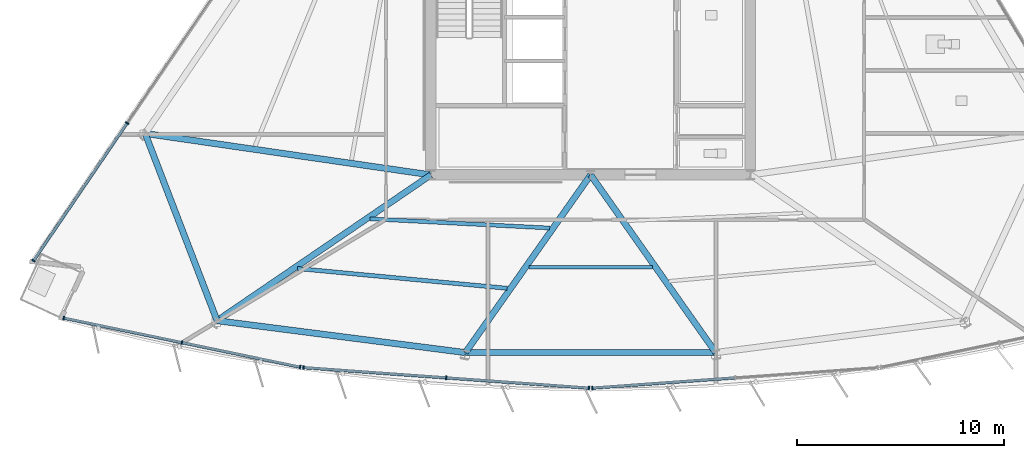
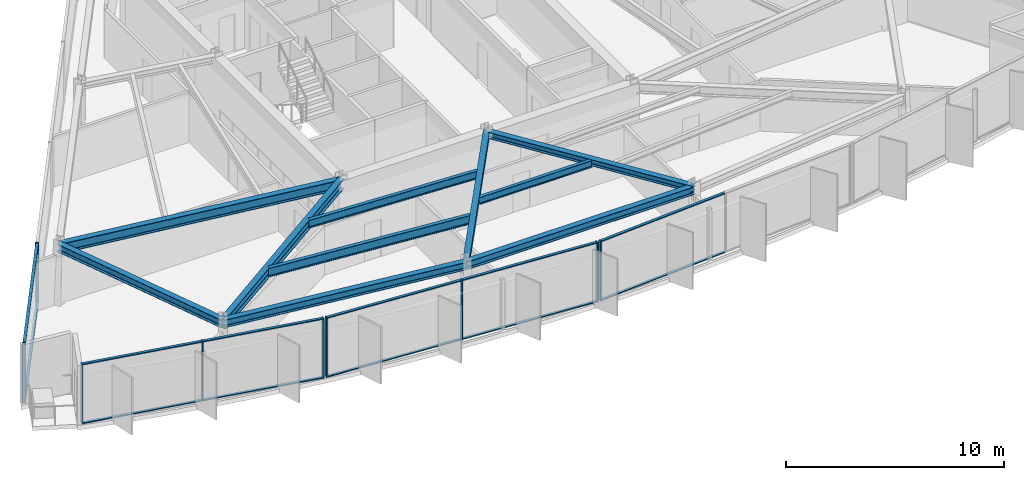
# One storey, part 2 of 15: 21 members, 10 beams, 4 elements without a shape of their own.
"""IFC4 building model written with IfcOpenShell, lengths in metres."""

from ifc_helpers import new_model, si_unit, direction, frame, origin, origin_2d, place, context, subcontext, project, spatial, rectangle, i_section, extrude, material, material_profile, profile_set, type_object, element, aggregate, save


model = new_model("IFC4")

# Units and contexts
model_context = context("Model", 3, precision=1e-05, world=origin(), true_north=direction((0.0, 1.0)))
body_context = subcontext(model_context, "Body", "Model", "MODEL_VIEW")
ifc_project = project(units=[si_unit("LENGTHUNIT", "METRE"), si_unit("AREAUNIT", "SQUARE_METRE"), si_unit("VOLUMEUNIT", "CUBIC_METRE"), si_unit("PLANEANGLEUNIT", "RADIAN"), si_unit("MASSUNIT", "GRAM", prefix="KILO")], contexts=[model_context])

# Site, building, storey
site_placement = place(None, origin())
site = spatial("IfcSite", under=ifc_project, at=site_placement, CompositionType="ELEMENT")
building_placement = place(site_placement, origin())
building = spatial("IfcBuilding", under=site, at=building_placement, Name="Savorim Split Tower", CompositionType="ELEMENT")
storey_placement = place(building_placement, frame((0.0, 0.0, 142.199951171875)))
storey = spatial("IfcBuildingStorey", under=building, at=storey_placement, Name="L37", CompositionType="ELEMENT", Elevation=142.199951171875)

# Beams
ifc_material_1 = material(Name="Steel S355", Category="steel")
ifc_material_profile_1 = material_profile(ifc_material_1, i_section(OverallWidth=0.179931640625, OverallDepth=0.39990234375, WebThickness=0.008544921875, FlangeThickness=0.013427734375, FilletRadius=0.02099609375, at=origin_2d()), Name="IPE 400")
ifc_profile_set_1 = profile_set([ifc_material_profile_1], Name="Steel S355")
beam_type_1 = type_object("IfcBeamType", Name="BM-JST-IPE400", PredefinedType="JOIST", material=ifc_profile_set_1)
beam_1_placement = place(storey_placement, frame((-2.978271484375, -13.853759765625, 3.150146484375), z_axis=(1.0, 0.0, 0.0), x_axis=(0.0, 1.0, 0.0)))
element("IfcBeam", 1, at=beam_1_placement, inside=storey, type_object=beam_type_1, Name="L37 Secondary Floor Joist JS-03", PredefinedType="JOIST", context=body_context, shape_type="SweptSolid", body=[
    extrude(i_section(OverallWidth=0.179931640625, OverallDepth=0.39990234375, WebThickness=0.008544921875, FlangeThickness=0.013427734375, FilletRadius=0.02099609375, at=origin_2d()), origin(), (0.0, 0.0, 1.0), 5.95654296875),
])
ifc_material_profile_2 = material_profile(ifc_material_1, i_section(OverallWidth=0.18994140625, OverallDepth=0.449951171875, WebThickness=0.009521484375, FlangeThickness=0.0146484375, FilletRadius=0.02099609375, at=origin_2d()), Name="IPE 450")
ifc_profile_set_2 = profile_set([ifc_material_profile_2], Name="Steel S355")
beam_type_2 = type_object("IfcBeamType", Name="BM-JST-IPE450", PredefinedType="JOIST", material=ifc_profile_set_2)
beam_2_placement = place(storey_placement, frame((-10.632080078125, -11.5166015625, 3.125), z_axis=(0.99868541062, -0.051258663794, 0.0), x_axis=(0.051258663794, 0.99868541062, 0.0)))
element("IfcBeam", 2, at=beam_2_placement, inside=storey, type_object=beam_type_2, Name="L37 Secondary Floor Joist JS-02", PredefinedType="JOIST", context=body_context, shape_type="SweptSolid", body=[
    extrude(i_section(OverallWidth=0.18994140625, OverallDepth=0.449951171875, WebThickness=0.009521484375, FlangeThickness=0.0146484375, FilletRadius=0.02099609375, at=origin_2d()), origin(), (0.0, 0.0, 1.0), 8.67333984375),
])
ifc_material_profile_3 = material_profile(ifc_material_1, i_section(OverallWidth=0.199951171875, OverallDepth=0.5, WebThickness=0.01025390625, FlangeThickness=0.01611328125, FilletRadius=0.02099609375, at=origin_2d()), Name="IPE 500")
ifc_profile_set_3 = profile_set([ifc_material_profile_3], Name="Steel S355")
beam_type_3 = type_object("IfcBeamType", Name="BM-JST-IPE500", PredefinedType="JOIST", material=ifc_profile_set_3)
beam_3_placement = place(storey_placement, frame((-14.13720703125, -13.912841796875, 3.10009765625), z_axis=(0.995583486827, -0.093880353415, 0.0), x_axis=(0.093880353415, 0.995583486827, 0.0)))
element("IfcBeam", 3, at=beam_3_placement, inside=storey, type_object=beam_type_3, Name="L37 Secondary Floor Joist JS-01", PredefinedType="JOIST", context=body_context, shape_type="SweptSolid", body=[
    extrude(i_section(OverallWidth=0.199951171875, OverallDepth=0.5, WebThickness=0.01025390625, FlangeThickness=0.01611328125, FilletRadius=0.02099609375, at=origin_2d()), origin(), (0.0, 0.0, 1.0), 10.160400390625),
])
ifc_material_profile_4 = material_profile(ifc_material_1, i_section(OverallWidth=0.300048828125, OverallDepth=0.360107421875, WebThickness=0.012451171875, FlangeThickness=0.0224609375, FilletRadius=0.027099609375, at=origin_2d()), Name="HEB 360")
ifc_profile_set_4 = profile_set([ifc_material_profile_4], Name="Steel S355")
beam_type_4 = type_object("IfcBeamType", Name="BM-PRI-HEB360", PredefinedType="BEAM", material=ifc_profile_set_4)
for number, where, z_axis, x_axis, name in (
    (4, (-6.034912109375, -17.965087890625, 3.170166015625), (0.575975827764, 0.817466724602, 0.0), (-0.817466724602, 0.575975827764, 0.0), "L37 Primary Floor Girder RG-02"),
    (5, (6.034912109375, -17.965087890625, 3.170166015625), (-0.575975827764, 0.817466724602, 0.0), (-0.817466724602, -0.575975827764, 0.0), "L37 Primary Floor Girder RG-03"),
):
    element("IfcBeam", number, at=place(storey_placement, frame(where, z_axis=z_axis, x_axis=x_axis)), inside=storey, type_object=beam_type_4, Name=name, PredefinedType="BEAM", context=body_context, shape_type="SweptSolid", body=[
        extrude(i_section(OverallWidth=0.300048828125, OverallDepth=0.360107421875, WebThickness=0.012451171875, FlangeThickness=0.0224609375, FilletRadius=0.027099609375, at=origin_2d()), origin(), (0.0, 0.0, 1.0), 10.477783203125),
    ])
ifc_material_profile_5 = material_profile(ifc_material_1, i_section(OverallWidth=0.300048828125, OverallDepth=0.550048828125, WebThickness=0.014892578125, FlangeThickness=0.029052734375, FilletRadius=0.027099609375, at=origin_2d()), Name="HEB 550")
ifc_profile_set_5 = profile_set([ifc_material_profile_5], Name="Steel S355")
beam_type_5 = type_object("IfcBeamType", Name="BM-PRI-HEB550", PredefinedType="BEAM", material=ifc_profile_set_5)
beam_4_placement = place(storey_placement, frame((-18.0068359375, -16.427978515625, 3.074951171875), z_axis=(0.826202913554, 0.563372652545, 0.0), x_axis=(-0.563372652545, 0.826202913554, 0.0)))
element("IfcBeam", 6, at=beam_4_placement, inside=storey, type_object=beam_type_5, Name="L37 Primary Floor Girder RG-01", PredefinedType="BEAM", context=body_context, shape_type="SweptSolid", body=[
    extrude(i_section(OverallWidth=0.300048828125, OverallDepth=0.550048828125, WebThickness=0.014892578125, FlangeThickness=0.029052734375, FilletRadius=0.027099609375, at=origin_2d()), origin(), (0.0, 0.0, 1.0), 12.47509765625),
])
beam_5_placement = place(storey_placement, frame((-21.474853515625, -7.402099609375, 3.074951171875), z_axis=(0.989645907927, -0.143530404179, 0.0), x_axis=(0.143530404179, 0.989645907927, 0.0)))
element("IfcBeam", 7, at=beam_5_placement, inside=storey, type_object=beam_type_5, Name="L37 Primary Floor Girder RG-10", PredefinedType="BEAM", context=body_context, shape_type="SweptSolid", body=[
    extrude(i_section(OverallWidth=0.300048828125, OverallDepth=0.550048828125, WebThickness=0.014892578125, FlangeThickness=0.029052734375, FilletRadius=0.027099609375, at=origin_2d()), origin(), (0.0, 0.0, 1.0), 13.9189453125),
])
ifc_material_profile_6 = material_profile(ifc_material_1, i_section(OverallWidth=0.300048828125, OverallDepth=0.43994140625, WebThickness=0.011474609375, FlangeThickness=0.02099609375, FilletRadius=0.027099609375, at=origin_2d()), Name="HEA 450")
ifc_profile_set_6 = profile_set([ifc_material_profile_6], Name="Steel S355")
beam_type_6 = type_object("IfcBeamType", Name="BM-SPN-HEA450", PredefinedType="SPANDREL", material=ifc_profile_set_6)
beam_6_placement = place(storey_placement, frame((-18.0068359375, -16.427978515625, 3.130126953125), z_axis=(0.991858163308, -0.127347492632, 0.0), x_axis=(0.127347492632, 0.991858163308, 0.0)))
element("IfcBeam", 8, at=beam_6_placement, inside=storey, type_object=beam_type_6, Name="L37 Perimeter Spandrel Beam 1", PredefinedType="SPANDREL", context=body_context, shape_type="SweptSolid", body=[
    extrude(i_section(OverallWidth=0.300048828125, OverallDepth=0.43994140625, WebThickness=0.011474609375, FlangeThickness=0.02099609375, FilletRadius=0.027099609375, at=origin_2d()), origin(), (0.0, 0.0, 1.0), 12.0703125),
])
beam_7_placement = place(storey_placement, frame((-6.034912109375, -17.965087890625, 3.130126953125), z_axis=(1.0, 0.0, 0.0), x_axis=(0.0, 1.0, 0.0)))
element("IfcBeam", 9, at=beam_7_placement, inside=storey, type_object=beam_type_6, Name="L37 Perimeter Spandrel Beam 2", PredefinedType="SPANDREL", context=body_context, shape_type="SweptSolid", body=[
    extrude(i_section(OverallWidth=0.300048828125, OverallDepth=0.43994140625, WebThickness=0.011474609375, FlangeThickness=0.02099609375, FilletRadius=0.027099609375, at=origin_2d()), origin(), (0.0, 0.0, 1.0), 12.06982421875),
])
beam_8_placement = place(storey_placement, frame((-21.474853515625, -7.402099609375, 3.130126953125), z_axis=(0.358666046119, -0.933465943332, 0.0), x_axis=(0.933465943332, 0.358666046119, 0.0)))
element("IfcBeam", 10, at=beam_8_placement, inside=storey, type_object=beam_type_6, Name="L37 Perimeter Spandrel Beam 10", PredefinedType="SPANDREL", context=body_context, shape_type="SweptSolid", body=[
    extrude(i_section(OverallWidth=0.300048828125, OverallDepth=0.43994140625, WebThickness=0.011474609375, FlangeThickness=0.02099609375, FilletRadius=0.027099609375, at=origin_2d()), origin(), (0.0, 0.0, 1.0), 9.669189453125),
])

# Curtain wall, members
ifc_material_2 = material(Name="Dark Ceramic-Fritted Insulated Glass", Category="glass")
curtain_wall_type = type_object("IfcCurtainWallType", Name="CW-TWR-FRIT-A", PredefinedType="NOTDEFINED", material=ifc_material_2)
curtain_wall_1_placement = place(storey_placement, origin())
curtain_wall_1 = element("IfcCurtainWall", 11, at=curtain_wall_1_placement, inside=storey, type_object=curtain_wall_type, Name="L37 Curtain Wall CW-L37-SF1", PredefinedType="NOTDEFINED")
ifc_material_3 = material(Name="Charcoal Anodised Aluminium", Category="aluminium")
ifc_material_profile_7 = material_profile(ifc_material_3, rectangle(XDim=0.179931640625, YDim=0.06494140625, at=origin_2d()), Name="ALU-M 180x65")
ifc_profile_set_7 = profile_set([ifc_material_profile_7], Name="Charcoal Anodised Aluminium")
member_type_1 = type_object("IfcMemberType", Name="CWM-180x65", PredefinedType="MULLION", material=ifc_profile_set_7)
member_1_placement = place(storey_placement, frame((-25.402099609375, -16.30029296875, 0.0), z_axis=(0.0, 0.0, 1.0), x_axis=(0.203209964912, 0.979135184824, 0.0)))
member_1 = element("IfcMember", 12, at=member_1_placement, type_object=member_type_1, Name="CW-02 mullion 1", PredefinedType="MULLION", context=body_context, shape_type="SweptSolid", body=[
    extrude(rectangle(XDim=0.179931640625, YDim=0.06494140625, at=origin_2d()), origin(), (0.0, 0.0, 1.0), 3.35009765625),
])
member_2_placement = place(storey_placement, frame((-19.70458984375, -17.482666015625, 0.0), z_axis=(0.0, 0.0, 1.0), x_axis=(0.203209964912, 0.979135184824, 0.0)))
member_2 = element("IfcMember", 13, at=member_2_placement, type_object=member_type_1, Name="CW-02 mullion 2", PredefinedType="MULLION", context=body_context, shape_type="SweptSolid", body=[
    extrude(rectangle(XDim=0.179931640625, YDim=0.06494140625, at=origin_2d()), origin(), (0.0, 0.0, 1.0), 3.35009765625),
])
member_3_placement = place(storey_placement, frame((-14.007080078125, -18.6650390625, 0.0), z_axis=(0.0, 0.0, 1.0), x_axis=(0.203209964912, 0.979135184824, 0.0)))
member_3 = element("IfcMember", 14, at=member_3_placement, type_object=member_type_1, Name="CW-02 mullion 3", PredefinedType="MULLION", context=body_context, shape_type="SweptSolid", body=[
    extrude(rectangle(XDim=0.179931640625, YDim=0.06494140625, at=origin_2d()), origin(), (0.0, 0.0, 1.0), 3.35009765625),
])

curtain_wall_2_placement = place(storey_placement, origin())
curtain_wall_2 = element("IfcCurtainWall", 15, at=curtain_wall_2_placement, inside=storey, type_object=curtain_wall_type, Name="L37 Curtain Wall CW-L37-SF2", PredefinedType="NOTDEFINED")
member_4_placement = place(storey_placement, frame((-13.840087890625, -18.688232421875, 0.0), z_axis=(0.0, 0.0, 1.0), x_axis=(0.071560918492, 0.997436231017, 0.0)))
member_4 = element("IfcMember", 16, at=member_4_placement, type_object=member_type_1, Name="CW-02 mullion 1", PredefinedType="MULLION", context=body_context, shape_type="SweptSolid", body=[
    extrude(rectangle(XDim=0.179931640625, YDim=0.06494140625, at=origin_2d()), origin(), (0.0, 0.0, 1.0), 3.35009765625),
])
member_5_placement = place(storey_placement, frame((-6.9619140625, -19.181884765625, 0.0), z_axis=(0.0, 0.0, 1.0), x_axis=(0.071560918492, 0.997436231017, 0.0)))
member_5 = element("IfcMember", 17, at=member_5_placement, type_object=member_type_1, Name="CW-02 mullion 2", PredefinedType="MULLION", context=body_context, shape_type="SweptSolid", body=[
    extrude(rectangle(XDim=0.179931640625, YDim=0.06494140625, at=origin_2d()), origin(), (0.0, 0.0, 1.0), 3.35009765625),
])
member_6_placement = place(storey_placement, frame((-0.083740234375, -19.67529296875, 0.0), z_axis=(0.0, 0.0, 1.0), x_axis=(0.071560918492, 0.997436231017, 0.0)))
member_6 = element("IfcMember", 18, at=member_6_placement, type_object=member_type_1, Name="CW-02 mullion 3", PredefinedType="MULLION", context=body_context, shape_type="SweptSolid", body=[
    extrude(rectangle(XDim=0.179931640625, YDim=0.06494140625, at=origin_2d()), origin(), (0.0, 0.0, 1.0), 3.35009765625),
])

# Curtain wall, member
curtain_wall_3_placement = place(storey_placement, origin())
curtain_wall_3 = element("IfcCurtainWall", 19, at=curtain_wall_3_placement, inside=storey, type_object=curtain_wall_type, Name="L37 Curtain Wall CW-L37-SF3", PredefinedType="NOTDEFINED")
member_7_placement = place(storey_placement, frame((0.083740234375, -19.67529296875, 0.0), z_axis=(0.0, 0.0, 1.0), x_axis=(-0.071560918492, 0.997436231017, 0.0)))
member_7 = element("IfcMember", 20, at=member_7_placement, type_object=member_type_1, Name="CW-02 mullion 1", PredefinedType="MULLION", context=body_context, shape_type="SweptSolid", body=[
    extrude(rectangle(XDim=0.179931640625, YDim=0.06494140625, at=origin_2d()), origin(), (0.0, 0.0, 1.0), 3.35009765625),
])

# Curtain wall, members
curtain_wall_4_placement = place(storey_placement, origin())
curtain_wall_4 = element("IfcCurtainWall", 21, at=curtain_wall_4_placement, inside=storey, type_object=curtain_wall_type, Name="L37 Curtain Wall CW-L37-WEST", PredefinedType="NOTDEFINED")
member_8_placement = place(storey_placement, frame((-22.343505859375, -6.900634765625, 0.0), z_axis=(0.0, 0.0, 1.0), x_axis=(0.826820104662, -0.562466456356, 0.0)))
member_8 = element("IfcMember", 22, at=member_8_placement, type_object=member_type_1, Name="CW-02 mullion 4", PredefinedType="MULLION", context=body_context, shape_type="SweptSolid", body=[
    extrude(rectangle(XDim=0.179931640625, YDim=0.06494140625, at=origin_2d()), origin(), (0.0, 0.0, 1.0), 3.35009765625),
])
member_9_placement = place(storey_placement, frame((-26.856201171875, -13.534423828125, 0.0), z_axis=(0.0, 0.0, 1.0), x_axis=(0.826820104662, -0.562466456356, 0.0)))
member_9 = element("IfcMember", 23, at=member_9_placement, type_object=member_type_1, Name="CW-02 mullion 5", PredefinedType="MULLION", context=body_context, shape_type="SweptSolid", body=[
    extrude(rectangle(XDim=0.179931640625, YDim=0.06494140625, at=origin_2d()), origin(), (0.0, 0.0, 1.0), 3.35009765625),
])

# Member
ifc_material_profile_8 = material_profile(ifc_material_3, rectangle(XDim=0.139892578125, YDim=0.054931640625, at=origin_2d()), Name="ALU-T 140x55")
ifc_profile_set_8 = profile_set([ifc_material_profile_8], Name="Charcoal Anodised Aluminium")
member_type_2 = type_object("IfcMemberType", Name="CWT-140x55", PredefinedType="USERDEFINED", material=ifc_profile_set_8)
member_10_placement = place(storey_placement, frame((-25.3701171875, -16.306884765625, 0.027587890625), z_axis=(0.979136864004, -0.203201873883, 0.0), x_axis=(0.203201873883, 0.979136864004, 0.0)))
member_10 = element("IfcMember", 24, at=member_10_placement, type_object=member_type_2, Name="CW-02 transom 1.1", ObjectType="TRANSOM", PredefinedType="USERDEFINED", context=body_context, shape_type="SweptSolid", body=[
    extrude(rectangle(XDim=0.139892578125, YDim=0.054931640625, at=origin_2d()), origin(), (0.0, 0.0, 1.0), 5.75390625),
])

member_11_placement = place(storey_placement, frame((-25.3701171875, -16.306884765625, 3.322509765625), z_axis=(0.979136864004, -0.203201873883, 0.0), x_axis=(0.203201873883, 0.979136864004, 0.0)))
member_11 = element("IfcMember", 25, at=member_11_placement, type_object=member_type_2, Name="CW-02 transom 1.2", ObjectType="TRANSOM", PredefinedType="USERDEFINED", context=body_context, shape_type="SweptSolid", body=[
    extrude(rectangle(XDim=0.139892578125, YDim=0.054931640625, at=origin_2d()), origin(), (0.0, 0.0, 1.0), 5.75390625),
])

member_12_placement = place(storey_placement, frame((-19.672607421875, -17.4892578125, 0.027587890625), z_axis=(0.979135111877, -0.203210316394, 0.0), x_axis=(0.203210316394, 0.979135111877, 0.0)))
member_12 = element("IfcMember", 26, at=member_12_placement, type_object=member_type_2, Name="CW-02 transom 2.1", ObjectType="TRANSOM", PredefinedType="USERDEFINED", context=body_context, shape_type="SweptSolid", body=[
    extrude(rectangle(XDim=0.139892578125, YDim=0.054931640625, at=origin_2d()), origin(), (0.0, 0.0, 1.0), 5.753662109375),
])

member_13_placement = place(storey_placement, frame((-19.672607421875, -17.4892578125, 3.322509765625), z_axis=(0.979135111877, -0.203210316394, 0.0), x_axis=(0.203210316394, 0.979135111877, 0.0)))
member_13 = element("IfcMember", 27, at=member_13_placement, type_object=member_type_2, Name="CW-02 transom 2.2", ObjectType="TRANSOM", PredefinedType="USERDEFINED", context=body_context, shape_type="SweptSolid", body=[
    extrude(rectangle(XDim=0.139892578125, YDim=0.054931640625, at=origin_2d()), origin(), (0.0, 0.0, 1.0), 5.753662109375),
])

aggregate(curtain_wall_1, [member_1, member_2, member_3, member_10, member_11, member_12, member_13])

member_14_placement = place(storey_placement, frame((-13.8076171875, -18.690673828125, 0.027587890625), z_axis=(0.99743669961, -0.071554386807, 0.0), x_axis=(0.071554386807, 0.99743669961, 0.0)))
member_14 = element("IfcMember", 28, at=member_14_placement, type_object=member_type_2, Name="CW-02 transom 1.1", ObjectType="TRANSOM", PredefinedType="USERDEFINED", context=body_context, shape_type="SweptSolid", body=[
    extrude(rectangle(XDim=0.139892578125, YDim=0.054931640625, at=origin_2d()), origin(), (0.0, 0.0, 1.0), 6.830810546875),
])

member_15_placement = place(storey_placement, frame((-13.8076171875, -18.690673828125, 3.322509765625), z_axis=(0.99743669961, -0.071554386807, 0.0), x_axis=(0.071554386807, 0.99743669961, 0.0)))
member_15 = element("IfcMember", 29, at=member_15_placement, type_object=member_type_2, Name="CW-02 transom 1.2", ObjectType="TRANSOM", PredefinedType="USERDEFINED", context=body_context, shape_type="SweptSolid", body=[
    extrude(rectangle(XDim=0.139892578125, YDim=0.054931640625, at=origin_2d()), origin(), (0.0, 0.0, 1.0), 6.830810546875),
])

member_16_placement = place(storey_placement, frame((-6.929443359375, -19.18408203125, 0.027587890625), z_axis=(0.99743669961, -0.071554386807, 0.0), x_axis=(0.071554386807, 0.99743669961, 0.0)))
member_16 = element("IfcMember", 30, at=member_16_placement, type_object=member_type_2, Name="CW-02 transom 2.1", ObjectType="TRANSOM", PredefinedType="USERDEFINED", context=body_context, shape_type="SweptSolid", body=[
    extrude(rectangle(XDim=0.139892578125, YDim=0.054931640625, at=origin_2d()), origin(), (0.0, 0.0, 1.0), 6.830810546875),
])

member_17_placement = place(storey_placement, frame((-6.929443359375, -19.18408203125, 3.322509765625), z_axis=(0.99743669961, -0.071554386807, 0.0), x_axis=(0.071554386807, 0.99743669961, 0.0)))
member_17 = element("IfcMember", 31, at=member_17_placement, type_object=member_type_2, Name="CW-02 transom 2.2", ObjectType="TRANSOM", PredefinedType="USERDEFINED", context=body_context, shape_type="SweptSolid", body=[
    extrude(rectangle(XDim=0.139892578125, YDim=0.054931640625, at=origin_2d()), origin(), (0.0, 0.0, 1.0), 6.830810546875),
])

aggregate(curtain_wall_2, [member_4, member_5, member_6, member_14, member_15, member_16, member_17])

member_18_placement = place(storey_placement, frame((0.1162109375, -19.6728515625, 0.027587890625), z_axis=(0.99743669961, 0.071554386807, 0.0), x_axis=(-0.071554386807, 0.99743669961, 0.0)))
member_18 = element("IfcMember", 32, at=member_18_placement, type_object=member_type_2, Name="CW-02 transom 1.1", ObjectType="TRANSOM", PredefinedType="USERDEFINED", context=body_context, shape_type="SweptSolid", body=[
    extrude(rectangle(XDim=0.139892578125, YDim=0.054931640625, at=origin_2d()), origin(), (0.0, 0.0, 1.0), 6.830810546875),
])

member_19_placement = place(storey_placement, frame((0.1162109375, -19.6728515625, 3.322509765625), z_axis=(0.99743669961, 0.071554386807, 0.0), x_axis=(-0.071554386807, 0.99743669961, 0.0)))
member_19 = element("IfcMember", 33, at=member_19_placement, type_object=member_type_2, Name="CW-02 transom 1.2", ObjectType="TRANSOM", PredefinedType="USERDEFINED", context=body_context, shape_type="SweptSolid", body=[
    extrude(rectangle(XDim=0.139892578125, YDim=0.054931640625, at=origin_2d()), origin(), (0.0, 0.0, 1.0), 6.830810546875),
])

aggregate(curtain_wall_3, [member_7, member_18, member_19])

member_20_placement = place(storey_placement, frame((-22.36181640625, -6.927490234375, 0.027587890625), z_axis=(-0.562449306034, -0.826831771367, 0.0), x_axis=(0.826831771367, -0.562449306034, 0.0)))
member_20 = element("IfcMember", 34, at=member_20_placement, type_object=member_type_2, Name="CW-02 transom 4.1", ObjectType="TRANSOM", PredefinedType="USERDEFINED", context=body_context, shape_type="SweptSolid", body=[
    extrude(rectangle(XDim=0.139892578125, YDim=0.054931640625, at=origin_2d()), origin(), (0.0, 0.0, 1.0), 7.958251953125),
])

member_21_placement = place(storey_placement, frame((-22.36181640625, -6.927490234375, 3.322509765625), z_axis=(-0.562449306034, -0.826831771367, 0.0), x_axis=(0.826831771367, -0.562449306034, 0.0)))
member_21 = element("IfcMember", 35, at=member_21_placement, type_object=member_type_2, Name="CW-02 transom 4.2", ObjectType="TRANSOM", PredefinedType="USERDEFINED", context=body_context, shape_type="SweptSolid", body=[
    extrude(rectangle(XDim=0.139892578125, YDim=0.054931640625, at=origin_2d()), origin(), (0.0, 0.0, 1.0), 7.958251953125),
])

aggregate(curtain_wall_4, [member_8, member_9, member_20, member_21])

save(model, "model.ifc")
